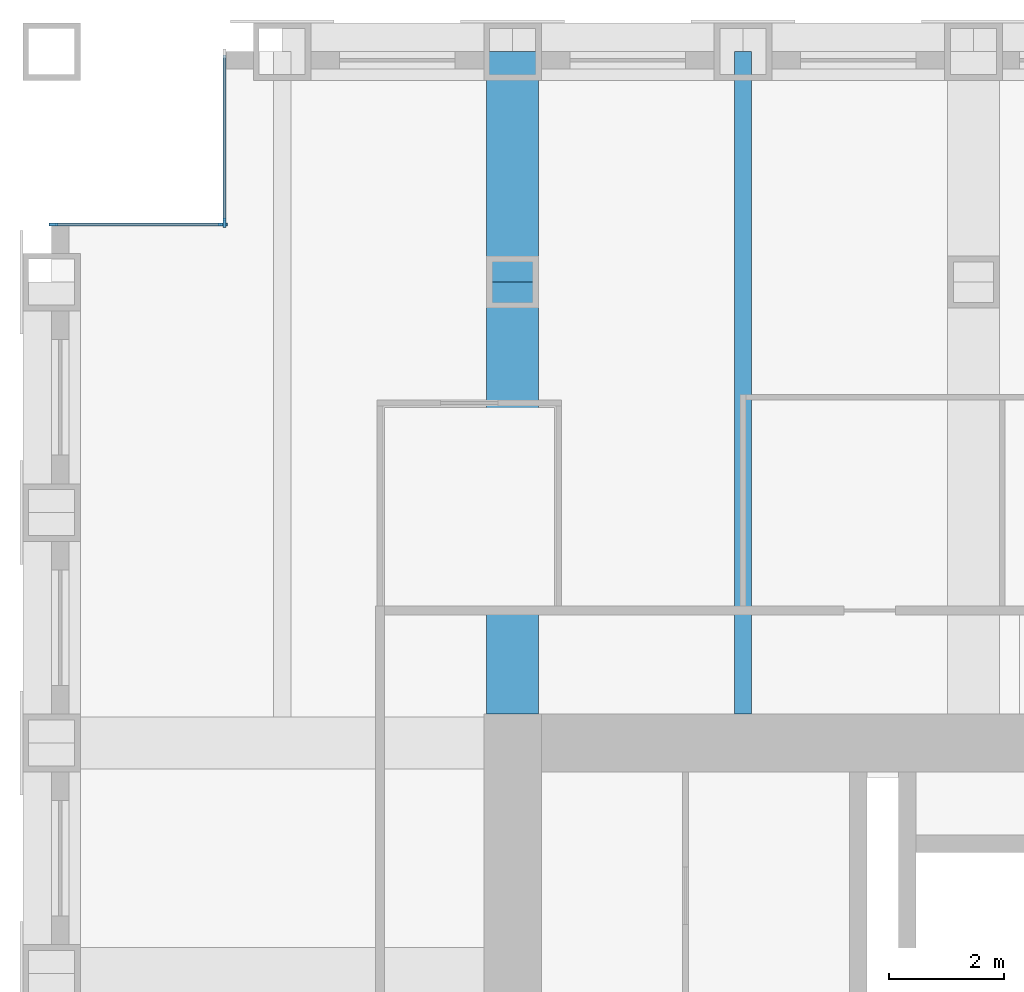
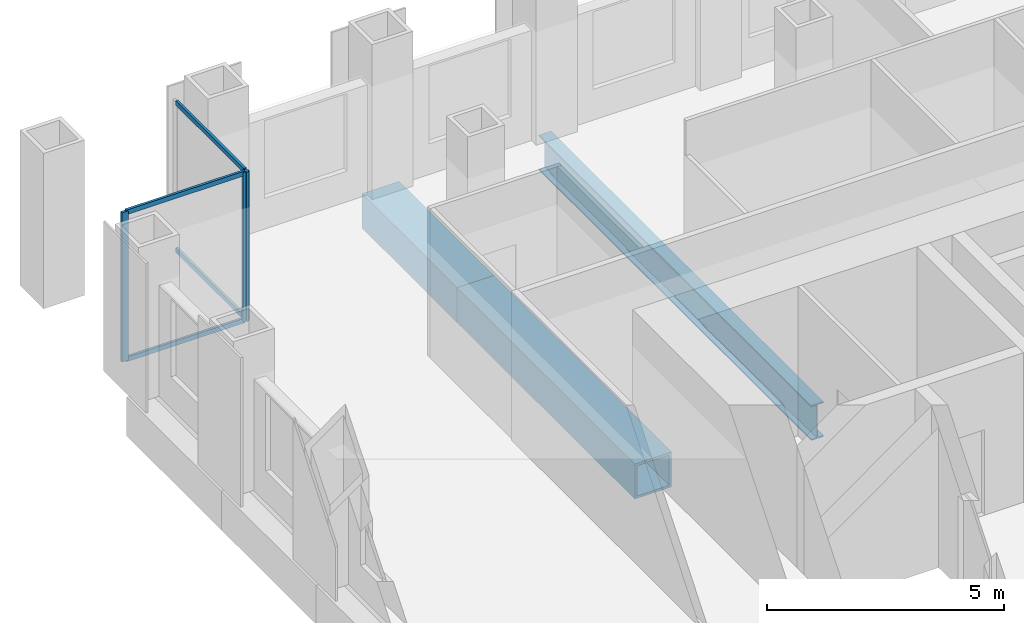
# One storey, part 6 of 16: 7 members, 3 beams, 2 elements without a shape of their own.
"""IFC4 building model written with IfcOpenShell, lengths in metres."""

from ifc_helpers import new_model, si_unit, direction, frame, origin, origin_2d, place, context, subcontext, project, spatial, rectangle, hollow_rectangle, i_section, extrude, material, material_profile, profile_set, type_object, element, aggregate, save


model = new_model("IFC4")

# Units and contexts
model_context = context("Model", 3, precision=1e-05, world=origin(), true_north=direction((0.0, 1.0)))
body_context = subcontext(model_context, "Body", "Model", "MODEL_VIEW")
ifc_project = project(units=[si_unit("LENGTHUNIT", "METRE"), si_unit("AREAUNIT", "SQUARE_METRE"), si_unit("VOLUMEUNIT", "CUBIC_METRE"), si_unit("PLANEANGLEUNIT", "RADIAN"), si_unit("MASSUNIT", "GRAM", prefix="KILO")], contexts=[model_context])

# Site, building, storey
site_placement = place(None, origin())
site = spatial("IfcSite", under=ifc_project, at=site_placement, CompositionType="ELEMENT")
building_placement = place(site_placement, origin())
building = spatial("IfcBuilding", under=site, at=building_placement, Name="Rimbunsela Tower", CompositionType="ELEMENT")
storey_placement = place(building_placement, frame((0.0, 0.0, 85.39990234375)))
storey = spatial("IfcBuildingStorey", under=building, at=storey_placement, Name="L20", CompositionType="ELEMENT", Elevation=85.39990234375)

# Beams
ifc_material_1 = material(Name="Steel BJ 55 (fy 410 MPa)", Category="steel")
ifc_material_profile_1 = material_profile(ifc_material_1, hollow_rectangle(XDim=0.89990234375, YDim=0.89990234375, WallThickness=0.06005859375, at=origin_2d()), Name="BOX 900x900x60")
ifc_profile_set_1 = profile_set([ifc_material_profile_1], Name="Steel BJ 55 (fy 410 MPa)")
beam_type_1 = type_object("IfcBeamType", Name="Beam BOX 900x900x60", PredefinedType="BEAM", material=ifc_profile_set_1)
beam_1_placement = place(storey_placement, frame((18.0, 36.5, -0.599853515625), z_axis=(0.0, 1.0, 0.0), x_axis=(-1.0, 0.0, 0.0)))
element("IfcBeam", 1, at=beam_1_placement, inside=storey, type_object=beam_type_1, Name="Beam B1 L20", PredefinedType="BEAM", context=body_context, shape_type="SweptSolid", body=[
    extrude(hollow_rectangle(XDim=0.89990234375, YDim=0.89990234375, WallThickness=0.06005859375, at=origin_2d()), origin(), (0.0, 0.0, 1.0), 7.5),
])
beam_2_placement = place(storey_placement, frame((18.0, 44.0, -0.599853515625), z_axis=(0.0, 1.0, 0.0), x_axis=(-1.0, 0.0, 0.0)))
element("IfcBeam", 2, at=beam_2_placement, inside=storey, type_object=beam_type_1, Name="Beam B1 L20", PredefinedType="BEAM", context=body_context, shape_type="SweptSolid", body=[
    extrude(hollow_rectangle(XDim=0.89990234375, YDim=0.89990234375, WallThickness=0.06005859375, at=origin_2d()), origin(), (0.0, 0.0, 1.0), 4.0),
])
ifc_material_2 = material(Name="Steel BJ 55 (fy 410 MPa)", Category="steel")
ifc_material_profile_2 = material_profile(ifc_material_2, i_section(OverallWidth=0.300048828125, OverallDepth=0.89990234375, WebThickness=0.01611328125, FlangeThickness=0.028076171875, FilletRadius=0.028076171875, at=origin_2d()), Name="H 900x300x16x28")
ifc_profile_set_2 = profile_set([ifc_material_profile_2], Name="Steel BJ 55 (fy 410 MPa)")
beam_type_2 = type_object("IfcBeamType", Name="Beam H 900x300x16x28", PredefinedType="BEAM", material=ifc_profile_set_2)
beam_3_placement = place(storey_placement, frame((22.0, 36.5, -0.599853515625), z_axis=(0.0, 1.0, 0.0), x_axis=(-1.0, 0.0, 0.0)))
element("IfcBeam", 3, at=beam_3_placement, inside=storey, type_object=beam_type_2, Name="Beam B2 L20", PredefinedType="BEAM", context=body_context, shape_type="SweptSolid", body=[
    extrude(i_section(OverallWidth=0.300048828125, OverallDepth=0.89990234375, WebThickness=0.01611328125, FlangeThickness=0.028076171875, FilletRadius=0.028076171875, at=origin_2d()), origin(), (0.0, 0.0, 1.0), 11.5),
])

# Curtain wall, member
ifc_material_3 = material(Name="Aluminium curtain wall", Category="aluminium")
curtain_wall_type = type_object("IfcCurtainWallType", Name="Corner glazing", PredefinedType="USERDEFINED", material=ifc_material_3)
curtain_wall_1_placement = place(storey_placement, origin())
curtain_wall_1 = element("IfcCurtainWall", 4, at=curtain_wall_1_placement, inside=storey, type_object=curtain_wall_type, Name="Corner glazing L20", ObjectType="CORNER GLAZING", PredefinedType="USERDEFINED")
ifc_material_4 = material(Name="Aluminium mullion", Category="aluminium")
ifc_material_profile_3 = material_profile(ifc_material_4, rectangle(XDim=0.06005859375, YDim=0.159912109375, at=origin_2d()), Name="Mullion 60x160")
ifc_profile_set_3 = profile_set([ifc_material_profile_3], Name="Aluminium mullion")
member_type_1 = type_object("IfcMemberType", Name="Curtain wall mullion 60x160", PredefinedType="MULLION", material=ifc_profile_set_3)
member_1_placement = place(storey_placement, frame((13.0, 45.030029296875, 0.0), z_axis=(0.0, 0.0, 1.0), x_axis=(1.0, 0.0, 0.0)))
member_1 = element("IfcMember", 5, at=member_1_placement, type_object=member_type_1, Name="CW5 mullion 2", PredefinedType="MULLION", context=body_context, shape_type="SweptSolid", body=[
    extrude(rectangle(XDim=0.06005859375, YDim=0.159912109375, at=origin_2d()), origin(), (0.0, 0.0, 1.0), 3.85009765625),
])

# Curtain wall, members
curtain_wall_2_placement = place(storey_placement, origin())
curtain_wall_2 = element("IfcCurtainWall", 6, at=curtain_wall_2_placement, inside=storey, type_object=curtain_wall_type, Name="Corner glazing L20", ObjectType="CORNER GLAZING", PredefinedType="USERDEFINED")
member_2_placement = place(storey_placement, frame((12.969970703125, 45.0, 0.0), z_axis=(0.0, 0.0, 1.0), x_axis=(0.0, -1.0, 0.0)))
member_2 = element("IfcMember", 7, at=member_2_placement, type_object=member_type_1, Name="CW5 mullion 1", PredefinedType="MULLION", context=body_context, shape_type="SweptSolid", body=[
    extrude(rectangle(XDim=0.06005859375, YDim=0.159912109375, at=origin_2d()), origin(), (0.0, 0.0, 1.0), 3.85009765625),
])
member_3_placement = place(storey_placement, frame((10.030029296875, 45.0, 0.0), z_axis=(0.0, 0.0, 1.0), x_axis=(0.0, -1.0, 0.0)))
member_3 = element("IfcMember", 8, at=member_3_placement, type_object=member_type_1, Name="CW5 mullion 2", PredefinedType="MULLION", context=body_context, shape_type="SweptSolid", body=[
    extrude(rectangle(XDim=0.06005859375, YDim=0.159912109375, at=origin_2d()), origin(), (0.0, 0.0, 1.0), 3.85009765625),
])

# Member
ifc_material_5 = material(Name="Aluminium transom", Category="aluminium")
ifc_material_profile_4 = material_profile(ifc_material_5, rectangle(XDim=0.06005859375, YDim=0.1201171875, at=origin_2d()), Name="Transom 60x120")
ifc_profile_set_4 = profile_set([ifc_material_profile_4], Name="Aluminium transom")
member_type_2 = type_object("IfcMemberType", Name="Curtain wall transom 60x120", PredefinedType="USERDEFINED", material=ifc_profile_set_4)
member_4_placement = place(storey_placement, frame((13.0, 47.93994140625, 0.030029296875), z_axis=(0.0, -1.0, 0.0), x_axis=(1.0, 0.0, 0.0)))
member_4 = element("IfcMember", 9, at=member_4_placement, type_object=member_type_2, Name="CW5 transom 1.1", ObjectType="TRANSOM", PredefinedType="USERDEFINED", context=body_context, shape_type="SweptSolid", body=[
    extrude(rectangle(XDim=0.06005859375, YDim=0.1201171875, at=origin_2d()), origin(), (0.0, 0.0, 1.0), 2.8798828125),
])

member_5_placement = place(storey_placement, frame((13.0, 47.93994140625, 3.820068359375), z_axis=(0.0, -1.0, 0.0), x_axis=(1.0, 0.0, 0.0)))
member_5 = element("IfcMember", 10, at=member_5_placement, type_object=member_type_2, Name="CW5 transom 1.2", ObjectType="TRANSOM", PredefinedType="USERDEFINED", context=body_context, shape_type="SweptSolid", body=[
    extrude(rectangle(XDim=0.06005859375, YDim=0.1201171875, at=origin_2d()), origin(), (0.0, 0.0, 1.0), 2.8798828125),
])

aggregate(curtain_wall_1, [member_1, member_4, member_5])

member_6_placement = place(storey_placement, frame((12.93994140625, 45.0, 0.030029296875), z_axis=(-1.0, 0.0, 0.0), x_axis=(0.0, -1.0, 0.0)))
member_6 = element("IfcMember", 11, at=member_6_placement, type_object=member_type_2, Name="CW5 transom 1.1", ObjectType="TRANSOM", PredefinedType="USERDEFINED", context=body_context, shape_type="SweptSolid", body=[
    extrude(rectangle(XDim=0.06005859375, YDim=0.1201171875, at=origin_2d()), origin(), (0.0, 0.0, 1.0), 2.8798828125),
])

member_7_placement = place(storey_placement, frame((12.93994140625, 45.0, 3.820068359375), z_axis=(-1.0, 0.0, 0.0), x_axis=(0.0, -1.0, 0.0)))
member_7 = element("IfcMember", 12, at=member_7_placement, type_object=member_type_2, Name="CW5 transom 1.2", ObjectType="TRANSOM", PredefinedType="USERDEFINED", context=body_context, shape_type="SweptSolid", body=[
    extrude(rectangle(XDim=0.06005859375, YDim=0.1201171875, at=origin_2d()), origin(), (0.0, 0.0, 1.0), 2.8798828125),
])

aggregate(curtain_wall_2, [member_2, member_3, member_6, member_7])

save(model, "model.ifc")
